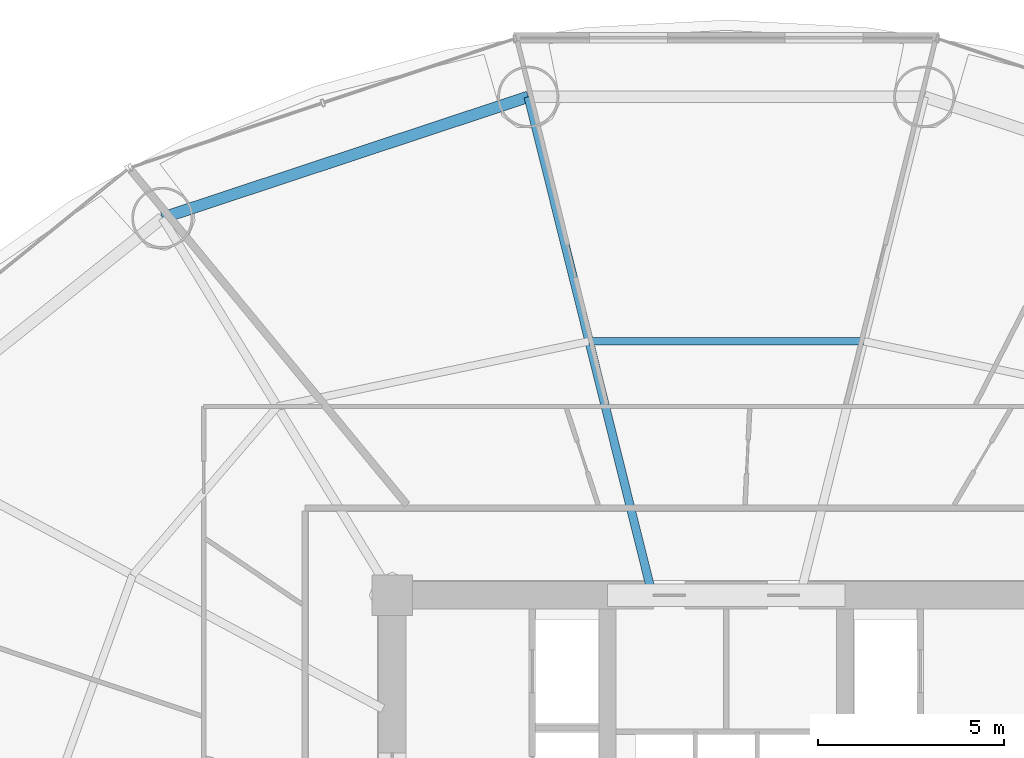
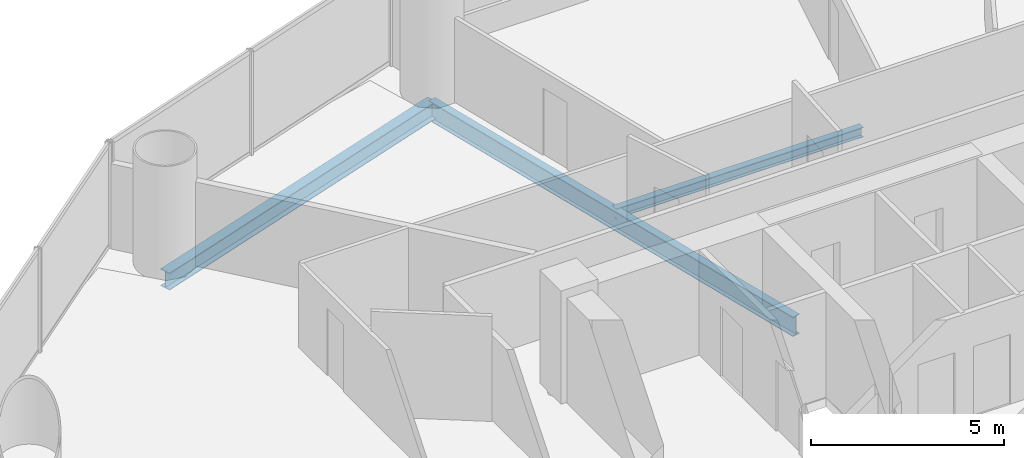
# One storey, part 15 of 28: 3 beams.
"""IFC4 building model written with IfcOpenShell, lengths in metres."""

from ifc_helpers import new_model, si_unit, direction, frame, origin, origin_2d, place, context, subcontext, project, spatial, i_section, extrude, material, material_profile, profile_set, type_object, element, save


model = new_model("IFC4")

# Units and contexts
model_context = context("Model", 3, precision=1e-05, world=origin(), true_north=direction((-0.2419218956, 0.970295726276)))
body_context = subcontext(model_context, "Body", "Model", "MODEL_VIEW")
ifc_project = project(units=[si_unit("LENGTHUNIT", "METRE"), si_unit("AREAUNIT", "SQUARE_METRE"), si_unit("VOLUMEUNIT", "CUBIC_METRE"), si_unit("PLANEANGLEUNIT", "RADIAN"), si_unit("MASSUNIT", "GRAM", prefix="KILO")], contexts=[model_context])

# Site, building, storey
site_placement = place(None, origin())
site = spatial("IfcSite", under=ifc_project, at=site_placement, CompositionType="ELEMENT")
building_placement = place(site_placement, origin())
building = spatial("IfcBuilding", under=site, at=building_placement, Name="Cobrevalo Terracotta Tower", CompositionType="ELEMENT")
storey_placement = place(building_placement, frame((0.0, 0.0, 38.39990234375)))
storey = spatial("IfcBuildingStorey", under=building, at=storey_placement, Name="L09", CompositionType="ELEMENT", Elevation=38.39990234375)

# Beams
ifc_material = material(Name="Steel S355", Category="steel")
ifc_material_profile_1 = material_profile(ifc_material, i_section(OverallWidth=0.22998046875, OverallDepth=0.616943359375, WebThickness=0.01318359375, FlangeThickness=0.022216796875, at=origin_2d()), Name="W 610x140")
ifc_profile_set_1 = profile_set([ifc_material_profile_1], Name="Steel S355")
beam_type_1 = type_object("IfcBeamType", Name="Structural Beam W 610x140 (Steel S355)", PredefinedType="BEAM", material=ifc_profile_set_1)
beam_1_placement = place(storey_placement, frame((32.664306640625, 48.230224609375, -0.58837890625), z_axis=(0.241596254786, -0.970376859614, 0.0), x_axis=(0.970376859614, 0.241596254786, 0.0)))
element("IfcBeam", 1, at=beam_1_placement, inside=storey, type_object=beam_type_1, Name="L09 radial floor girder 05", PredefinedType="BEAM", context=body_context, shape_type="SweptSolid", body=[
    extrude(i_section(OverallWidth=0.22998046875, OverallDepth=0.616943359375, WebThickness=0.01318359375, FlangeThickness=0.022216796875, at=origin_2d()), origin(), (0.0, 0.0, 1.0), 13.577392578125),
])
ifc_material_profile_2 = material_profile(ifc_material, i_section(OverallWidth=0.2041015625, OverallDepth=0.305908203125, WebThickness=0.008544921875, FlangeThickness=0.0146484375, at=origin_2d()), Name="W 310x67")
ifc_profile_set_2 = profile_set([ifc_material_profile_2], Name="Steel S355")
beam_type_2 = type_object("IfcBeamType", Name="Structural Joist W 310x67 (Steel S355)", PredefinedType="JOIST", material=ifc_profile_set_2)
beam_2_placement = place(storey_placement, frame((41.695556640625, 41.642578125, -0.432861328125), z_axis=(-1.0, 0.0, 0.0), x_axis=(0.0, -1.0, 0.0)))
element("IfcBeam", 2, at=beam_2_placement, inside=storey, type_object=beam_type_2, Name="L09 circumferential secondary floor joist 04", PredefinedType="JOIST", context=body_context, shape_type="SweptSolid", body=[
    extrude(i_section(OverallWidth=0.2041015625, OverallDepth=0.305908203125, WebThickness=0.008544921875, FlangeThickness=0.0146484375, at=origin_2d()), origin(), (0.0, 0.0, 1.0), 7.39111328125),
])
ifc_material_profile_3 = material_profile(ifc_material, i_section(OverallWidth=0.31201171875, OverallDepth=0.54296875, WebThickness=0.0126953125, FlangeThickness=0.020263671875, at=origin_2d()), Name="W 530x150")
ifc_profile_set_3 = profile_set([ifc_material_profile_3], Name="Steel S355")
beam_type_3 = type_object("IfcBeamType", Name="Structural Spandrel W 530x150 (Steel S355)", PredefinedType="SPANDREL", material=ifc_profile_set_3)
beam_3_placement = place(storey_placement, frame((32.664306640625, 48.230224609375, -0.551513671875), z_axis=(-0.949365190876, -0.314174687638, 0.0), x_axis=(0.314174687638, -0.949365190876, 0.0)))
element("IfcBeam", 3, at=beam_3_placement, inside=storey, type_object=beam_type_3, Name="L09 perimeter ring spandrel 05", PredefinedType="SPANDREL", context=body_context, shape_type="SweptSolid", body=[
    extrude(i_section(OverallWidth=0.31201171875, OverallDepth=0.54296875, WebThickness=0.0126953125, FlangeThickness=0.020263671875, at=origin_2d()), origin(), (0.0, 0.0, 1.0), 10.385009765625),
])

save(model, "model.ifc")
